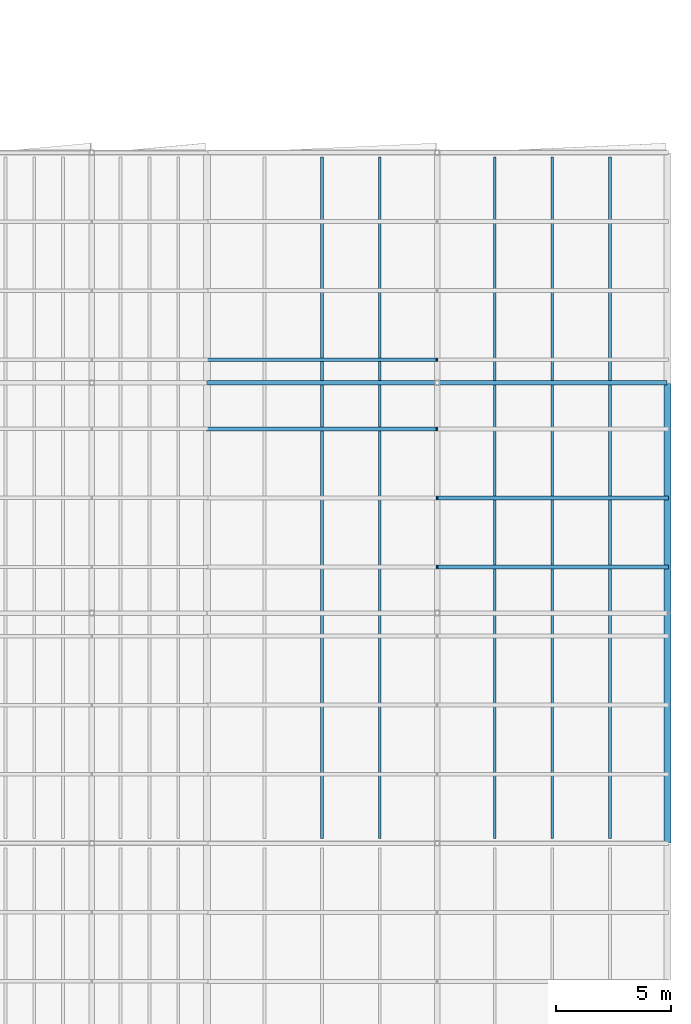
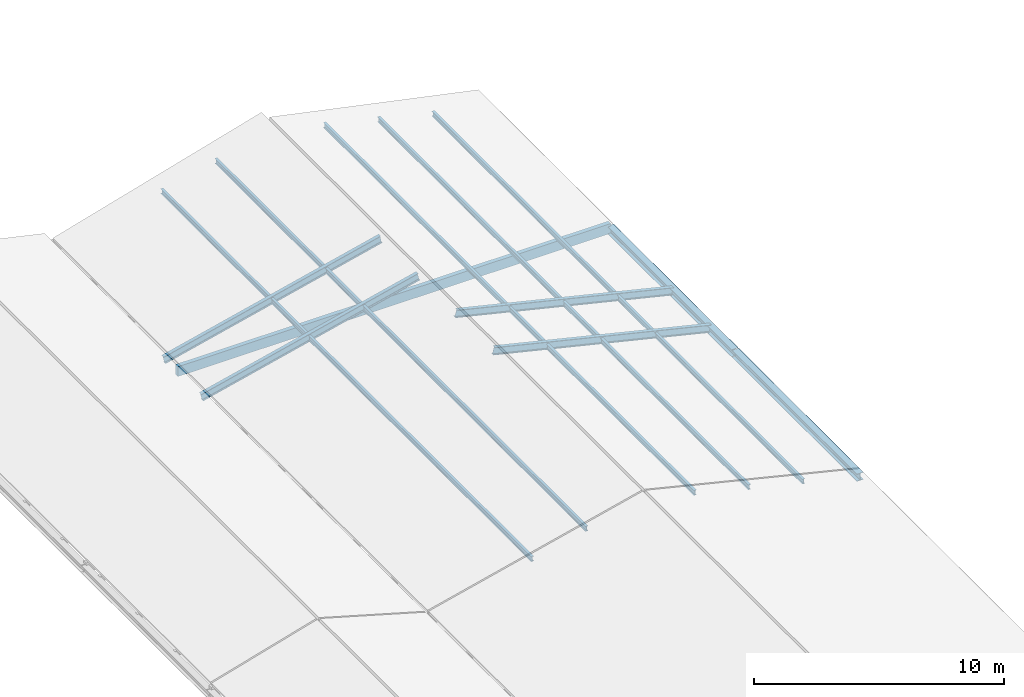
# One storey, part 69 of 90: 9 members, 3 beams.
"""IFC4 building model written with IfcOpenShell, lengths in metres."""

from ifc_helpers import new_model, si_unit, direction, frame, origin, origin_2d, place, context, subcontext, project, spatial, rectangle, i_section, extrude, material, material_profile, profile_set, type_object, element, save


model = new_model("IFC4")

# Units and contexts
model_context = context("Model", 3, precision=1e-05, world=origin(), true_north=direction((0.0, 1.0)))
body_context = subcontext(model_context, "Body", "Model", "MODEL_VIEW")
ifc_project = project(units=[si_unit("LENGTHUNIT", "METRE"), si_unit("AREAUNIT", "SQUARE_METRE"), si_unit("VOLUMEUNIT", "CUBIC_METRE"), si_unit("PLANEANGLEUNIT", "RADIAN"), si_unit("MASSUNIT", "GRAM", prefix="KILO"), si_unit("THERMODYNAMICTEMPERATUREUNIT", "KELVIN"), si_unit("POWERUNIT", "WATT")], contexts=[model_context])

# Site, building, storey
site_placement = place(None, origin())
site = spatial("IfcSite", under=ifc_project, at=site_placement, CompositionType="ELEMENT")
building_placement = place(site_placement, origin())
building = spatial("IfcBuilding", under=site, at=building_placement, Name="Korenveer Ferry Terminal", CompositionType="ELEMENT")
storey_placement = place(building_placement, frame((0.0, 0.0, 22.199951171875)))
storey = spatial("IfcBuildingStorey", under=building, at=storey_placement, Name="RF", CompositionType="ELEMENT", Elevation=22.199951171875)

# Beams
ifc_material_1 = material(Name="Steel S355", Category="steel")
ifc_material_profile_1 = material_profile(ifc_material_1, i_section(OverallWidth=0.300048828125, OverallDepth=0.360107421875, WebThickness=0.012451171875, FlangeThickness=0.0224609375, FilletRadius=0.027099609375, at=origin_2d()), Name="HEB 360")
ifc_profile_set_1 = profile_set([ifc_material_profile_1], Name="Steel S355")
beam_type_1 = type_object("IfcBeamType", Name="STR-BM-HEB360", PredefinedType="BEAM", material=ifc_profile_set_1)
for number, where, z_axis, x_axis, name in (
    (1, (176.0, 50.02001953125, -7.619873046875), (0.0, 1.0, 0.0), (-1.0, 0.0, 0.0), "Wing eave beam EAST 147"),
    (2, (176.0, 60.02001953125, -7.619873046875), (0.0, 1.0, 0.0), (-1.0, 0.0, 0.0), "Wing eave beam EAST 148"),
):
    element("IfcBeam", number, at=place(storey_placement, frame(where, z_axis=z_axis, x_axis=x_axis)), inside=storey, type_object=beam_type_1, Name=name, PredefinedType="BEAM", context=body_context, shape_type="SweptSolid", body=[
        extrude(i_section(OverallWidth=0.300048828125, OverallDepth=0.360107421875, WebThickness=0.012451171875, FlangeThickness=0.0224609375, FilletRadius=0.027099609375, at=origin_2d()), origin(), (0.0, 0.0, 1.0), 9.9599609375),
    ])

# Members
ifc_material_profile_2 = material_profile(ifc_material_1, i_section(OverallWidth=0.1201171875, OverallDepth=0.239990234375, WebThickness=0.006103515625, FlangeThickness=0.009765625, FilletRadius=0.014892578125, at=origin_2d()), Name="IPE 240")
ifc_profile_set_2 = profile_set([ifc_material_profile_2], Name="Steel S355")
member_type_1 = type_object("IfcMemberType", Name="STR-PUR-IPE240", PredefinedType="PURLIN", material=ifc_profile_set_2)
for number, where, z_axis, x_axis, name in (
    (3, (161.0, 50.199951171875, -6.47998046875), (0.0, 1.0, 0.0), (-1.0, 0.0, 0.0), "Pitched wing roof steel purlin 256"),
    (4, (163.5, 50.199951171875, -5.8798828125), (0.0, 1.0, 0.0), (-1.0, 0.0, 0.0), "Pitched wing roof steel purlin 258"),
    (5, (168.5, 50.199951171875, -5.8798828125), (0.0, 1.0, 0.0), (-1.0, 0.0, 0.0), "Pitched wing roof steel purlin 260"),
    (6, (171.0, 50.199951171875, -6.47998046875), (0.0, 1.0, 0.0), (-1.0, 0.0, 0.0), "Pitched wing roof steel purlin 262"),
    (7, (173.5, 50.199951171875, -7.079833984375), (0.0, 1.0, 0.0), (-1.0, 0.0, 0.0), "Pitched wing roof steel purlin 264"),
):
    element("IfcMember", number, at=place(storey_placement, frame(where, z_axis=z_axis, x_axis=x_axis)), inside=storey, type_object=member_type_1, Name=name, PredefinedType="PURLIN", context=body_context, shape_type="SweptSolid", body=[
        extrude(i_section(OverallWidth=0.1201171875, OverallDepth=0.239990234375, WebThickness=0.006103515625, FlangeThickness=0.009765625, FilletRadius=0.014892578125, at=origin_2d()), origin(), (0.0, 0.0, 1.0), 29.60009765625),
    ])
ifc_material_profile_3 = material_profile(ifc_material_1, i_section(OverallWidth=0.169921875, OverallDepth=0.360107421875, WebThickness=0.008056640625, FlangeThickness=0.0126953125, FilletRadius=0.01806640625, at=origin_2d()), Name="IPE 360")
ifc_profile_set_3 = profile_set([ifc_material_profile_3], Name="Steel S355")
member_type_2 = type_object("IfcMemberType", Name="STR-RAF-IPE360", PredefinedType="RAFTER", material=ifc_profile_set_3)
for number, where, z_axis, x_axis, name in (
    (8, (166.0, 62.0, -5.219970703125), (0.972389456854, 0.0, -0.233363973654), (0.0, 1.0, 0.0), "Pitched roof rafter 30"),
    (9, (166.0, 65.0, -5.219970703125), (0.972389456854, 0.0, -0.233363973654), (0.0, 1.0, 0.0), "Pitched roof rafter 32"),
    (10, (156.0, 68.0, -7.619873046875), (0.972389456854, 0.0, 0.233363973654), (0.0, 1.0, 0.0), "Pitched roof rafter 33"),
    (11, (156.0, 71.0, -7.619873046875), (0.972389456854, 0.0, 0.233363973654), (0.0, 1.0, 0.0), "Pitched roof rafter 35"),
):
    element("IfcMember", number, at=place(storey_placement, frame(where, z_axis=z_axis, x_axis=x_axis)), inside=storey, type_object=member_type_2, Name=name, PredefinedType="RAFTER", context=body_context, shape_type="SweptSolid", body=[
        extrude(i_section(OverallWidth=0.169921875, OverallDepth=0.360107421875, WebThickness=0.008056640625, FlangeThickness=0.0126953125, FilletRadius=0.01806640625, at=origin_2d()), origin(), (0.0, 0.0, 1.0), 10.283935546875),
    ])

# Beam
ifc_material_2 = material(Name="Glulam GL28h", Category="wood")
ifc_material_profile_4 = material_profile(ifc_material_2, rectangle(XDim=0.199951171875, YDim=0.47998046875, at=origin_2d()), Name="GL 200x480")
ifc_profile_set_4 = profile_set([ifc_material_profile_4], Name="Glulam GL28h")
beam_type_2 = type_object("IfcBeamType", Name="STR-RFG-GL200", PredefinedType="USERDEFINED", material=ifc_profile_set_4)
beam_placement = place(storey_placement, frame((156.02001953125, 70.0, -7.56005859375), z_axis=(1.0, 0.0, 0.0), x_axis=(0.0, 1.0, 0.0)))
element("IfcBeam", 12, at=beam_placement, inside=storey, type_object=beam_type_2, Name="Wing roof collar tie EAST 156", ObjectType="ROOF GIRDER", PredefinedType="USERDEFINED", context=body_context, shape_type="SweptSolid", body=[
    extrude(rectangle(XDim=0.199951171875, YDim=0.47998046875, at=origin_2d()), origin(), (0.0, 0.0, 1.0), 19.9599609375),
])

save(model, "model.ifc")
